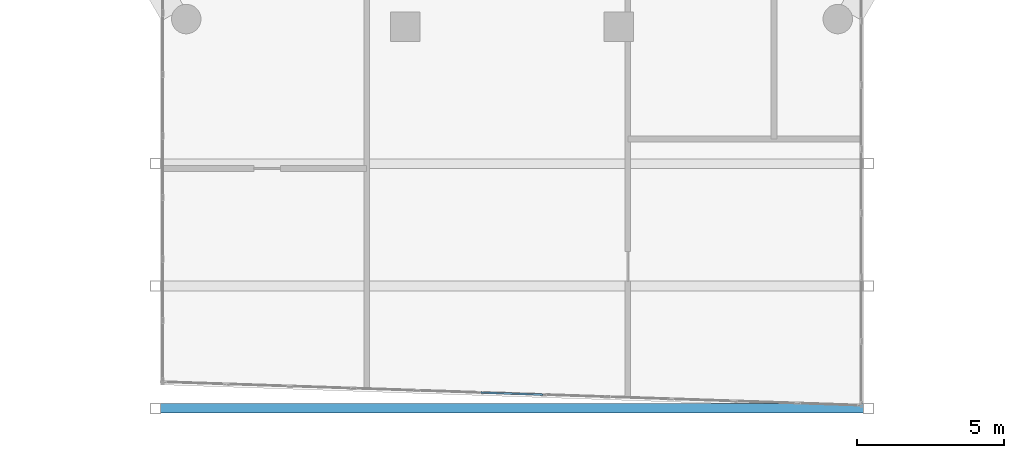
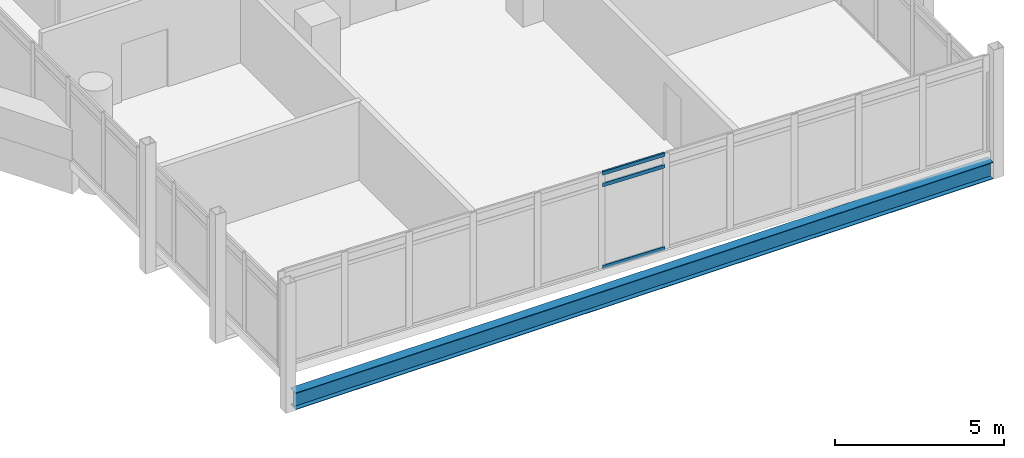
# One storey, part 4 of 29: 3 members, 1 beam, 1 element without a shape of its own.
"""IFC4 building model written with IfcOpenShell, lengths in metres."""

from ifc_helpers import new_model, si_unit, direction, frame, origin, origin_2d, place, context, subcontext, project, spatial, hollow_rectangle, i_section, extrude, material, material_profile, profile_set, type_object, element, aggregate, save


model = new_model("IFC4")

# Units and contexts
model_context = context("Model", 3, precision=1e-05, world=origin(), true_north=direction((0.0, 1.0)))
body_context = subcontext(model_context, "Body", "Model", "MODEL_VIEW")
ifc_project = project(units=[si_unit("LENGTHUNIT", "METRE"), si_unit("AREAUNIT", "SQUARE_METRE"), si_unit("VOLUMEUNIT", "CUBIC_METRE"), si_unit("PLANEANGLEUNIT", "RADIAN"), si_unit("MASSUNIT", "GRAM", prefix="KILO")], contexts=[model_context])

# Site, building, storey
site_placement = place(None, origin())
site = spatial("IfcSite", under=ifc_project, at=site_placement, CompositionType="ELEMENT")
building_placement = place(site_placement, origin())
building = spatial("IfcBuilding", under=site, at=building_placement, Name="Ostrander Bayou Hotel Tower", CompositionType="ELEMENT")
storey_placement = place(building_placement, frame((0.0, 0.0, 205.75)))
storey = spatial("IfcBuildingStorey", under=building, at=storey_placement, Name="L51", CompositionType="ELEMENT", Elevation=205.75)

# Curtain wall, members
ifc_material_1 = material(Name="Aluminium and clear glass", Category="aluminium")
curtain_wall_type = type_object("IfcCurtainWallType", Name="CW-BAR glazed wall", PredefinedType="NOTDEFINED", material=ifc_material_1)
curtain_wall_placement = place(storey_placement, origin())
curtain_wall = element("IfcCurtainWall", 1, at=curtain_wall_placement, inside=storey, type_object=curtain_wall_type, Name="CW-BAR L51:SB4S:T", PredefinedType="NOTDEFINED")
ifc_material_2 = material(Name="Aluminium", Category="aluminium")
ifc_material_profile_1 = material_profile(ifc_material_2, hollow_rectangle(XDim=0.06005859375, YDim=0.1298828125, WallThickness=0.00390625, at=origin_2d()))
ifc_profile_set_1 = profile_set([ifc_material_profile_1], Name="Aluminium")
member_type = type_object("IfcMemberType", Name="CW-BR transom 60 x 130 mm", PredefinedType="USERDEFINED", material=ifc_profile_set_1)
member_1_placement = place(storey_placement, frame((-1.0478515625, -29.614990234375, 0.030029296875), z_axis=(0.999441542075, -0.033415624718, 0.0), x_axis=(0.033415624718, 0.999441542075, 0.0)))
member_1 = element("IfcMember", 2, at=member_1_placement, type_object=member_type, Name="CW-BAR transom 6.1", ObjectType="TRANSOM", PredefinedType="USERDEFINED", context=body_context, shape_type="SweptSolid", body=[
    extrude(hollow_rectangle(XDim=0.06005859375, YDim=0.1298828125, WallThickness=0.00390625, at=origin_2d()), origin(), (0.0, 0.0, 1.0), 2.096923828125),
])
member_2_placement = place(storey_placement, frame((-1.0478515625, -29.614990234375, 3.0), z_axis=(0.999441542075, -0.033415624718, 0.0), x_axis=(0.033415624718, 0.999441542075, 0.0)))
member_2 = element("IfcMember", 3, at=member_2_placement, type_object=member_type, Name="CW-BAR transom 6.2", ObjectType="TRANSOM", PredefinedType="USERDEFINED", context=body_context, shape_type="SweptSolid", body=[
    extrude(hollow_rectangle(XDim=0.06005859375, YDim=0.1298828125, WallThickness=0.00390625, at=origin_2d()), origin(), (0.0, 0.0, 1.0), 2.096923828125),
])
member_3_placement = place(storey_placement, frame((-1.0478515625, -29.614990234375, 3.419921875), z_axis=(0.999441542075, -0.033415624718, 0.0), x_axis=(0.033415624718, 0.999441542075, 0.0)))
member_3 = element("IfcMember", 4, at=member_3_placement, type_object=member_type, Name="CW-BAR transom 6.3", ObjectType="TRANSOM", PredefinedType="USERDEFINED", context=body_context, shape_type="SweptSolid", body=[
    extrude(hollow_rectangle(XDim=0.06005859375, YDim=0.1298828125, WallThickness=0.00390625, at=origin_2d()), origin(), (0.0, 0.0, 1.0), 2.096923828125),
])
aggregate(curtain_wall, [member_1, member_2, member_3])

# Beam
ifc_material_3 = material(Name="Steel ASTM A992", Category="steel")
ifc_material_profile_2 = material_profile(ifc_material_3, i_section(OverallWidth=0.32373046875, OverallDepth=0.611083984375, WebThickness=0.0126953125, FlangeThickness=0.01904296875, at=origin_2d()))
ifc_profile_set_2 = profile_set([ifc_material_profile_2], Name="Steel ASTM A992")
beam_type = type_object("IfcBeamType", Name="TF2 bar floor beam W24x104", PredefinedType="BEAM", material=ifc_profile_set_2)
beam_placement = place(storey_placement, frame((-11.93212890625, -30.14990234375, -0.605712890625), z_axis=(1.0, 0.0, 0.0), x_axis=(0.0, 1.0, 0.0)))
element("IfcBeam", 5, at=beam_placement, inside=storey, type_object=beam_type, Name="TF2 SB4S L4-3", PredefinedType="BEAM", context=body_context, shape_type="SweptSolid", body=[
    extrude(i_section(OverallWidth=0.32373046875, OverallDepth=0.611083984375, WebThickness=0.0126953125, FlangeThickness=0.01904296875, at=origin_2d()), origin(), (0.0, 0.0, 1.0), 23.8642578125),
])

save(model, "model.ifc")
